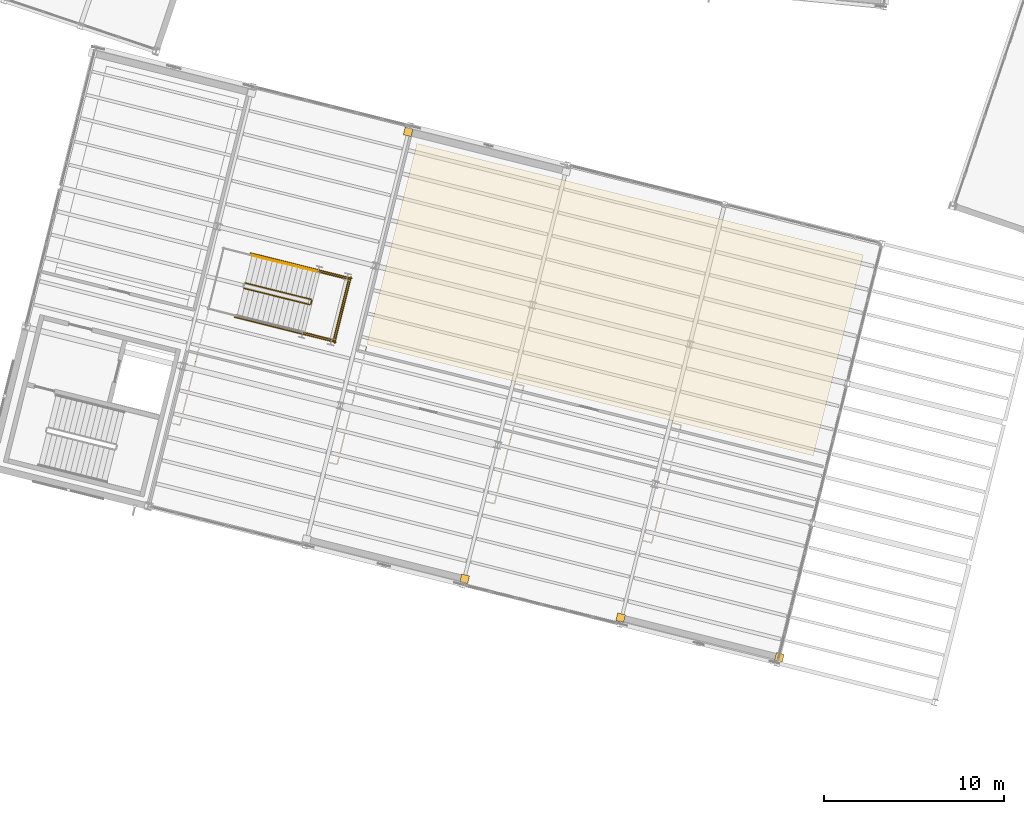
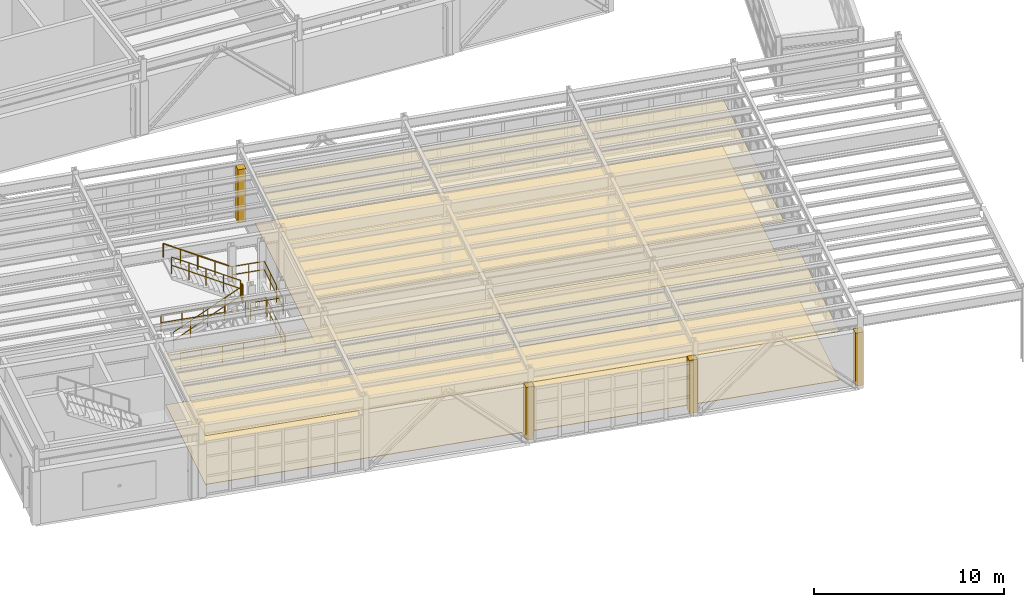
# One storey, part 98 of 102: 10 railings, 8 coverings.
"""IFC4 building model written with IfcOpenShell, lengths in metres."""

from ifc_helpers import new_model, si_unit, direction, frame, origin, origin_2d, place, context, subcontext, project, spatial, polyline, rectangle, circle, outline, extrude, material, layer, layer_set, type_object, element, save


model = new_model("IFC4")

# Units and contexts
model_context = context("Model", 3, precision=1e-05, world=origin(), true_north=direction((0.0, 1.0)))
body_context = subcontext(model_context, "Body", "Model", "MODEL_VIEW")
ifc_project = project(units=[si_unit("LENGTHUNIT", "METRE"), si_unit("AREAUNIT", "SQUARE_METRE"), si_unit("VOLUMEUNIT", "CUBIC_METRE"), si_unit("PLANEANGLEUNIT", "RADIAN"), si_unit("MASSUNIT", "GRAM", prefix="KILO")], contexts=[model_context])

# Site, building, storey
site_placement = place(None, origin())
site = spatial("IfcSite", under=ifc_project, at=site_placement, CompositionType="ELEMENT")
building_placement = place(site_placement, origin())
building = spatial("IfcBuilding", under=site, at=building_placement, Name="Vireo Bluff Cable Station", CompositionType="ELEMENT")
storey_placement = place(building_placement, frame((0.0, 0.0, 9.60009765625)))
storey = spatial("IfcBuildingStorey", under=building, at=storey_placement, Name="L02", CompositionType="ELEMENT", Elevation=9.60009765625)

# Coverings
ifc_material_1 = material(Name="Perforated Acoustic Metal Ceiling")
ifc_layer_1 = layer(ifc_material_1, 0.02490234375, Name="Perforated Acoustic Metal Ceiling")
ifc_layer_set_1 = layer_set([ifc_layer_1], Name="Perforated Acoustic Metal Ceiling")
covering_type_1 = type_object("IfcCoveringType", Name="CEILING-ACOUSTIC-25", PredefinedType="CEILING", material=ifc_layer_set_1)
covering_1_placement = place(storey_placement, frame((0.0, 0.0, 3.119873046875)))
element("IfcCovering", 1, at=covering_1_placement, inside=storey, type_object=covering_type_1, Name="V1 L02 Pre-Boarding Queue Hall acoustic ceiling", PredefinedType="CEILING", context=body_context, shape_type="SweptSolid", body=[
    extrude(outline(polyline([(74.77392578125, 44.435546875), (99.56494140625, 38.25439453125), (102.43896484375, 49.781494140625), (77.64794921875, 55.962646484375), (74.77392578125, 44.435546875)])), origin(), (0.0, 0.0, 1.0), 0.025146484375),
])
ifc_layer_2 = layer(ifc_material_1, 0.034912109375, Name="Perforated Acoustic Metal Ceiling")
ifc_layer_set_2 = layer_set([ifc_layer_2], Name="Perforated Acoustic Metal Ceiling")
covering_type_2 = type_object("IfcCoveringType", Name="CEILING-ACOUSTIC-35", PredefinedType="CEILING", material=ifc_layer_set_2)
covering_2_placement = place(storey_placement, frame((0.0, 0.0, 3.119873046875)))
element("IfcCovering", 2, at=covering_2_placement, inside=storey, type_object=covering_type_2, Name="V1 L02 Fare-Gate Concourse Mezzanine acoustic ceiling", PredefinedType="CEILING", context=body_context, shape_type="SweptSolid", body=[
    extrude(outline(polyline([(63.42333984375, 36.526611328125), (97.044189453125, 28.143798828125), (98.97705078125, 35.896484375), (65.3564453125, 44.279052734375), (63.42333984375, 36.526611328125)])), origin(), (0.0, 0.0, 1.0), 0.034912109375),
])
ifc_material_2 = material(Name="Precast concrete f'c 45 MPa", Category="concrete")
ifc_layer_3 = layer(ifc_material_2, 0.0400390625, Name="Precast concrete f'c 45 MPa")
ifc_layer_set_3 = layer_set([ifc_layer_3], Name="Precast concrete f'c 45 MPa")
covering_type_3 = type_object("IfcCoveringType", Name="COL-CLOSURE-WRAP", PredefinedType="CLADDING", material=ifc_layer_set_3)
for number, where, z_axis, x_axis, name in (
    (3, (97.768310546875, 27.437744140625, 0.0), (0.0, 0.0, 1.0), (0.970295726276, -0.2419218956, 0.0), "V1 L02 column pocket closure"),
    (4, (88.96337890625, 29.633056640625, 0.0), (0.0, 0.0, 1.0), (0.970295726276, -0.2419218956, 0.0), "V1 L02 column pocket closure"),
    (5, (80.302978515625, 31.792236328125, 0.0), (0.0, 0.0, 1.0), (0.970295726276, -0.2419218956, 0.0), "V1 L02 column pocket closure"),
    (6, (77.168212890625, 56.60791015625, 0.0), (0.0, 0.0, 1.0), (0.970295726276, -0.2419218956, 0.0), "V1 L02 column pocket closure"),
):
    element("IfcCovering", number, at=place(storey_placement, frame(where, z_axis=z_axis, x_axis=x_axis)), inside=storey, type_object=covering_type_3, Name=name, PredefinedType="CLADDING", context=body_context, shape_type="SweptSolid", body=[
        extrude(rectangle(XDim=0.43994140625, YDim=0.43994140625, at=origin_2d()), origin(), (0.0, 0.0, 1.0), 3.39990234375),
    ])
ifc_material_3 = material(Name="Polished Terrazzo Flooring")
ifc_layer_4 = layer(ifc_material_3, 0.02001953125, Name="Polished Terrazzo Flooring")
ifc_layer_set_4 = layer_set([ifc_layer_4], Name="Polished Terrazzo Flooring")
covering_type_4 = type_object("IfcCoveringType", Name="FLOORING-TERRAZZO-20", PredefinedType="FLOORING", material=ifc_layer_set_4)
covering_3_placement = place(storey_placement, origin())
element("IfcCovering", 7, at=covering_3_placement, inside=storey, type_object=covering_type_4, Name="V1 L02 Pre-Boarding Queue Hall terrazzo finish", PredefinedType="FLOORING", context=body_context, shape_type="SweptSolid", body=[
    extrude(outline(polyline([(74.865966796875, 44.80419921875), (99.656982421875, 38.623046875), (102.43896484375, 49.781494140625), (77.64794921875, 55.962646484375), (74.865966796875, 44.80419921875)])), origin(), (0.0, 0.0, 1.0), 0.02001953125),
])
ifc_layer_5 = layer(ifc_material_3, 0.030029296875, Name="Polished Terrazzo Flooring")
ifc_layer_set_5 = layer_set([ifc_layer_5], Name="Polished Terrazzo Flooring")
covering_type_5 = type_object("IfcCoveringType", Name="FLOORING-TERRAZZO-30", PredefinedType="FLOORING", material=ifc_layer_set_5)
covering_4_placement = place(storey_placement, origin())
element("IfcCovering", 8, at=covering_4_placement, inside=storey, type_object=covering_type_5, Name="V1 L02 Fare-Gate Concourse Mezzanine terrazzo finish", PredefinedType="FLOORING", context=body_context, shape_type="SweptSolid", body=[
    extrude(outline(polyline([(63.42333984375, 36.526611328125), (97.044189453125, 28.143798828125), (98.8828125, 35.51806640625), (65.261962890625, 43.900634765625), (63.42333984375, 36.526611328125)])), origin(), (0.0, 0.0, 1.0), 0.02978515625),
])

# Railings
ifc_material_4 = material(Name="Stainless Steel 316", Category="steel")
railing_type_1 = type_object("IfcRailingType", Name="STAIR-GUARD-1100", PredefinedType="GUARDRAIL", material=ifc_material_4)
railing_1_placement = place(storey_placement, frame((68.048583984375, 47.92626953125, 0.17138671875)))
element("IfcRailing", 9, at=railing_1_placement, inside=storey, type_object=railing_type_1, Name="L02 ST-10 stair guard 1", PredefinedType="GUARDRAIL", context=body_context, shape_type="SweptSolid", body=[
    extrude(circle(Radius=0.02392578125, at=origin_2d()), frame((0.0, 0.0, 1.076171875), z_axis=(0.835287278934, -0.208264366931, 0.50884291792), x_axis=(0.241926114739, 0.970294674317, 0.0)), (0.0, 0.0, 1.0), 4.379638671875),
    extrude(circle(Radius=0.02392578125, at=origin_2d()), frame((0.0, 0.0, 0.550048828125), z_axis=(0.835287278934, -0.208264366931, 0.50884291792), x_axis=(0.241926114739, 0.970294674317, 0.0)), (0.0, 0.0, 1.0), 4.379638671875),
    extrude(circle(Radius=0.02099609375, at=origin_2d()), origin(), (0.0, 0.0, 1.0), 1.052001953125),
    extrude(circle(Radius=0.02099609375, at=origin_2d()), frame((0.91455078125, -0.22802734375, 0.55712890625)), (0.0, 0.0, 1.0), 1.052001953125),
    extrude(circle(Radius=0.02099609375, at=origin_2d()), frame((1.8291015625, -0.4560546875, 1.1142578125)), (0.0, 0.0, 1.0), 1.052001953125),
    extrude(circle(Radius=0.02099609375, at=origin_2d()), frame((2.74365234375, -0.68408203125, 1.67138671875)), (0.0, 0.0, 1.0), 1.052001953125),
    extrude(circle(Radius=0.02099609375, at=origin_2d()), frame((3.658203125, -0.912109375, 2.228515625)), (0.0, 0.0, 1.0), 1.052001953125),
])
railing_2_placement = place(storey_placement, frame((71.767333984375, 47.050537109375, 2.39990234375)))
element("IfcRailing", 10, at=railing_2_placement, inside=storey, type_object=railing_type_1, Name="L02 ST-10 stair guard 2", PredefinedType="GUARDRAIL", context=body_context, shape_type="SweptSolid", body=[
    extrude(circle(Radius=0.02392578125, at=origin_2d()), frame((0.0, 0.0, 1.076171875), z_axis=(0.241673946692, 0.970357513234, 0.0), x_axis=(-0.970357513234, 0.241673946692, 0.0)), (0.0, 0.0, 1.0), 0.199951171875),
    extrude(circle(Radius=0.02392578125, at=origin_2d()), frame((0.0, 0.0, 0.550048828125), z_axis=(0.241673946692, 0.970357513234, 0.0), x_axis=(-0.970357513234, 0.241673946692, 0.0)), (0.0, 0.0, 1.0), 0.199951171875),
    extrude(circle(Radius=0.02099609375, at=origin_2d()), origin(), (0.0, 0.0, 1.0), 1.052001953125),
    extrude(circle(Radius=0.02099609375, at=origin_2d()), frame((0.04833984375, 0.194091796875, 0.0)), (0.0, 0.0, 1.0), 1.052001953125),
])
railing_3_placement = place(storey_placement, frame((71.324462890625, 45.48095703125, 2.39990234375)))
element("IfcRailing", 11, at=railing_3_placement, inside=storey, type_object=railing_type_1, Name="L02 ST-10 stair guard 3", PredefinedType="GUARDRAIL", context=body_context, shape_type="SweptSolid", body=[
    extrude(circle(Radius=0.02392578125, at=origin_2d()), frame((0.0, 0.0, 1.076171875), z_axis=(0.970317771018, -0.241833461801, 0.0), x_axis=(0.241833461801, 0.970317771018, 0.0)), (0.0, 0.0, 1.0), 1.800048828125),
    extrude(circle(Radius=0.02392578125, at=origin_2d()), frame((0.0, 0.0, 0.550048828125), z_axis=(0.970317771018, -0.241833461801, 0.0), x_axis=(0.241833461801, 0.970317771018, 0.0)), (0.0, 0.0, 1.0), 1.800048828125),
    extrude(circle(Radius=0.02099609375, at=origin_2d()), origin(), (0.0, 0.0, 1.0), 1.052001953125),
    extrude(circle(Radius=0.02099609375, at=origin_2d()), frame((0.873291015625, -0.2177734375, 0.0)), (0.0, 0.0, 1.0), 1.052001953125),
    extrude(circle(Radius=0.02099609375, at=origin_2d()), frame((1.74658203125, -0.435302734375, 0.0)), (0.0, 0.0, 1.0), 1.052001953125),
])
railing_4_placement = place(storey_placement, frame((72.161376953125, 48.83837890625, 2.39990234375)))
element("IfcRailing", 12, at=railing_4_placement, inside=storey, type_object=railing_type_1, Name="L02 ST-10 stair guard 4", PredefinedType="GUARDRAIL", context=body_context, shape_type="SweptSolid", body=[
    extrude(circle(Radius=0.02392578125, at=origin_2d()), frame((0.0, 0.0, 1.076171875), z_axis=(0.97028593668, -0.241961156142, 0.0), x_axis=(0.241961156142, 0.97028593668, 0.0)), (0.0, 0.0, 1.0), 1.800048828125),
    extrude(circle(Radius=0.02392578125, at=origin_2d()), frame((0.0, 0.0, 0.550048828125), z_axis=(0.97028593668, -0.241961156142, 0.0), x_axis=(0.241961156142, 0.97028593668, 0.0)), (0.0, 0.0, 1.0), 1.800048828125),
    extrude(circle(Radius=0.02099609375, at=origin_2d()), origin(), (0.0, 0.0, 1.0), 1.052001953125),
    extrude(circle(Radius=0.02099609375, at=origin_2d()), frame((0.873291015625, -0.2177734375, 0.0)), (0.0, 0.0, 1.0), 1.052001953125),
    extrude(circle(Radius=0.02099609375, at=origin_2d()), frame((1.74658203125, -0.435546875, 0.0)), (0.0, 0.0, 1.0), 1.052001953125),
])
railing_5_placement = place(storey_placement, frame((73.01025390625, 45.00927734375, 2.39990234375)))
element("IfcRailing", 13, at=railing_5_placement, inside=storey, type_object=railing_type_1, Name="L02 ST-10 stair guard 5", PredefinedType="GUARDRAIL", context=body_context, shape_type="SweptSolid", body=[
    extrude(circle(Radius=0.02392578125, at=origin_2d()), frame((0.0, 0.0, 1.076171875), z_axis=(0.241954658005, 0.970287557103, 0.0), x_axis=(-0.970287557103, 0.241954658005, 0.0)), (0.0, 0.0, 1.0), 3.559814453125),
    extrude(circle(Radius=0.02392578125, at=origin_2d()), frame((0.0, 0.0, 0.550048828125), z_axis=(0.241954658005, 0.970287557103, 0.0), x_axis=(-0.970287557103, 0.241954658005, 0.0)), (0.0, 0.0, 1.0), 3.559814453125),
    extrude(circle(Radius=0.02099609375, at=origin_2d()), origin(), (0.0, 0.0, 1.0), 1.052001953125),
    extrude(circle(Radius=0.02099609375, at=origin_2d()), frame((0.287109375, 1.1513671875, 0.0)), (0.0, 0.0, 1.0), 1.052001953125),
    extrude(circle(Radius=0.02099609375, at=origin_2d()), frame((0.57421875, 2.302734375, 0.0)), (0.0, 0.0, 1.0), 1.052001953125),
    extrude(circle(Radius=0.02099609375, at=origin_2d()), frame((0.861328125, 3.4541015625, 0.0)), (0.0, 0.0, 1.0), 1.052001953125),
])
railing_6_placement = place(storey_placement, frame((71.779296875, 47.30517578125, 2.5712890625)))
element("IfcRailing", 14, at=railing_6_placement, inside=storey, type_object=railing_type_1, Name="L02 ST-10 stair guard 6", PredefinedType="GUARDRAIL", context=body_context, shape_type="SweptSolid", body=[
    extrude(circle(Radius=0.02392578125, at=origin_2d()), frame((0.0, 0.0, 1.076171875), z_axis=(-0.835270426229, 0.208274064766, 0.508866612202), x_axis=(-0.241941316319, -0.97029088394, 0.0)), (0.0, 0.0, 1.0), 4.37939453125),
    extrude(circle(Radius=0.02392578125, at=origin_2d()), frame((0.0, 0.0, 0.550048828125), z_axis=(-0.835270426229, 0.208274064766, 0.508866612202), x_axis=(-0.241941316319, -0.97029088394, 0.0)), (0.0, 0.0, 1.0), 4.37939453125),
    extrude(circle(Radius=0.02099609375, at=origin_2d()), origin(), (0.0, 0.0, 1.0), 1.052001953125),
    extrude(circle(Radius=0.02099609375, at=origin_2d()), frame((-0.91455078125, 0.22802734375, 0.55712890625)), (0.0, 0.0, 1.0), 1.052001953125),
    extrude(circle(Radius=0.02099609375, at=origin_2d()), frame((-1.8291015625, 0.4560546875, 1.1142578125)), (0.0, 0.0, 1.0), 1.052001953125),
    extrude(circle(Radius=0.02099609375, at=origin_2d()), frame((-2.743408203125, 0.68408203125, 1.67138671875)), (0.0, 0.0, 1.0), 1.052001953125),
    extrude(circle(Radius=0.02099609375, at=origin_2d()), frame((-3.657958984375, 0.912109375, 2.228515625)), (0.0, 0.0, 1.0), 1.052001953125),
])
for number, where, name in (
    (15, (67.545166015625, 46.3203125, 0.0), "L02 ST-10 stair guard 11"),
    (16, (68.4306640625, 49.87158203125, 0.0), "L02 ST-10 stair guard 12"),
):
    element("IfcRailing", number, at=place(storey_placement, frame(where)), inside=storey, type_object=railing_type_1, Name=name, PredefinedType="GUARDRAIL", context=body_context, shape_type="SweptSolid", body=[
        extrude(circle(Radius=0.02392578125, at=origin_2d()), frame((0.0, 0.0, 1.076171875), z_axis=(0.970291651619, -0.24193823757, 0.0), x_axis=(0.24193823757, 0.970291651619, 0.0)), (0.0, 0.0, 1.0), 5.77001953125),
        extrude(circle(Radius=0.02392578125, at=origin_2d()), frame((0.0, 0.0, 0.550048828125), z_axis=(0.970291651619, -0.24193823757, 0.0), x_axis=(0.24193823757, 0.970291651619, 0.0)), (0.0, 0.0, 1.0), 5.77001953125),
        extrude(circle(Radius=0.02099609375, at=origin_2d()), origin(), (0.0, 0.0, 1.0), 1.052001953125),
        extrude(circle(Radius=0.02099609375, at=origin_2d()), frame((1.11962890625, -0.279296875, 0.0)), (0.0, 0.0, 1.0), 1.052001953125),
        extrude(circle(Radius=0.02099609375, at=origin_2d()), frame((2.239501953125, -0.558349609375, 0.0)), (0.0, 0.0, 1.0), 1.052001953125),
        extrude(circle(Radius=0.02099609375, at=origin_2d()), frame((3.359130859375, -0.837646484375, 0.0)), (0.0, 0.0, 1.0), 1.052001953125),
        extrude(circle(Radius=0.02099609375, at=origin_2d()), frame((4.47900390625, -1.11669921875, 0.0)), (0.0, 0.0, 1.0), 1.052001953125),
        extrude(circle(Radius=0.02099609375, at=origin_2d()), frame((5.5986328125, -1.39599609375, 0.0)), (0.0, 0.0, 1.0), 1.052001953125),
    ])
railing_7_placement = place(storey_placement, frame((73.083251953125, 44.887939453125, 0.0)))
element("IfcRailing", 17, at=railing_7_placement, inside=storey, type_object=railing_type_1, Name="L02 ST-10 stair guard 13", PredefinedType="GUARDRAIL", context=body_context, shape_type="SweptSolid", body=[
    extrude(circle(Radius=0.02392578125, at=origin_2d()), frame((0.0, 0.0, 1.076171875), z_axis=(0.241924482903, 0.970295081185, 0.0), x_axis=(-0.970295081185, 0.241924482903, 0.0)), (0.0, 0.0, 1.0), 3.76025390625),
    extrude(circle(Radius=0.02392578125, at=origin_2d()), frame((0.0, 0.0, 0.550048828125), z_axis=(0.241924482903, 0.970295081185, 0.0), x_axis=(-0.970295081185, 0.241924482903, 0.0)), (0.0, 0.0, 1.0), 3.76025390625),
    extrude(circle(Radius=0.02099609375, at=origin_2d()), origin(), (0.0, 0.0, 1.0), 1.052001953125),
    extrude(circle(Radius=0.02099609375, at=origin_2d()), frame((0.2275390625, 0.912109375, 0.0)), (0.0, 0.0, 1.0), 1.052001953125),
    extrude(circle(Radius=0.02099609375, at=origin_2d()), frame((0.454833984375, 1.82421875, 0.0)), (0.0, 0.0, 1.0), 1.052001953125),
    extrude(circle(Radius=0.02099609375, at=origin_2d()), frame((0.68212890625, 2.736328125, 0.0)), (0.0, 0.0, 1.0), 1.052001953125),
    extrude(circle(Radius=0.02099609375, at=origin_2d()), frame((0.90966796875, 3.6484375, 0.0)), (0.0, 0.0, 1.0), 1.052001953125),
])
railing_type_2 = type_object("IfcRailingType", Name="STAIR-HANDRAIL-900", PredefinedType="HANDRAIL", material=ifc_material_4)
railing_8_placement = place(storey_placement, frame((72.161376953125, 48.83837890625, 2.5712890625)))
element("IfcRailing", 18, at=railing_8_placement, inside=storey, type_object=railing_type_2, Name="L02 ST-10 stair handrail 2", PredefinedType="HANDRAIL", context=body_context, shape_type="SweptSolid", body=[
    extrude(circle(Radius=0.02392578125, at=origin_2d()), frame((0.0, 0.0, 0.8759765625), z_axis=(-0.835280123288, 0.208220734198, 0.508872519881), x_axis=(-0.241880346166, -0.970306084768, 0.0)), (0.0, 0.0, 1.0), 4.37939453125),
    extrude(circle(Radius=0.02099609375, at=origin_2d()), origin(), (0.0, 0.0, 1.0), 0.851806640625),
    extrude(circle(Radius=0.02099609375, at=origin_2d()), frame((-0.91455078125, 0.22802734375, 0.55712890625)), (0.0, 0.0, 1.0), 0.851806640625),
    extrude(circle(Radius=0.02099609375, at=origin_2d()), frame((-1.8291015625, 0.4560546875, 1.1142578125)), (0.0, 0.0, 1.0), 0.851806640625),
    extrude(circle(Radius=0.02099609375, at=origin_2d()), frame((-2.743408203125, 0.683837890625, 1.67138671875)), (0.0, 0.0, 1.0), 0.851806640625),
    extrude(circle(Radius=0.02099609375, at=origin_2d()), frame((-3.657958984375, 0.911865234375, 2.228515625)), (0.0, 0.0, 1.0), 0.851806640625),
])

save(model, "model.ifc")
